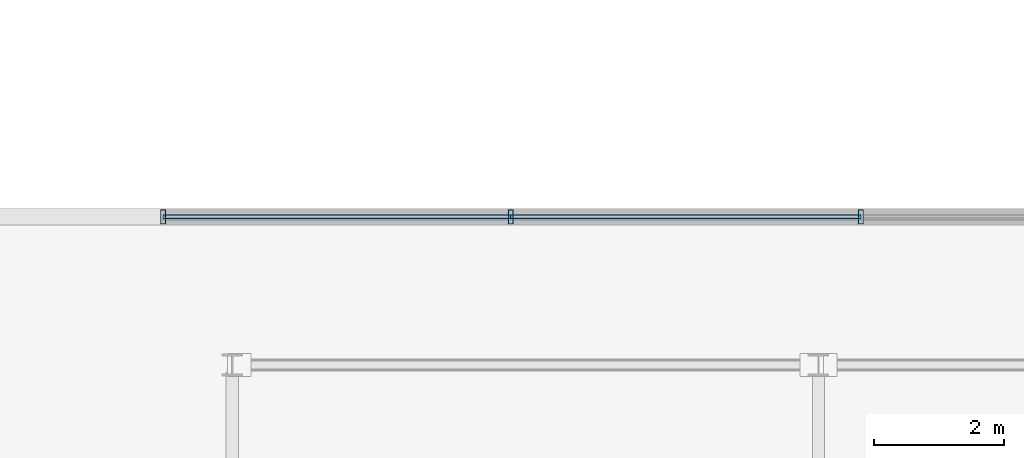
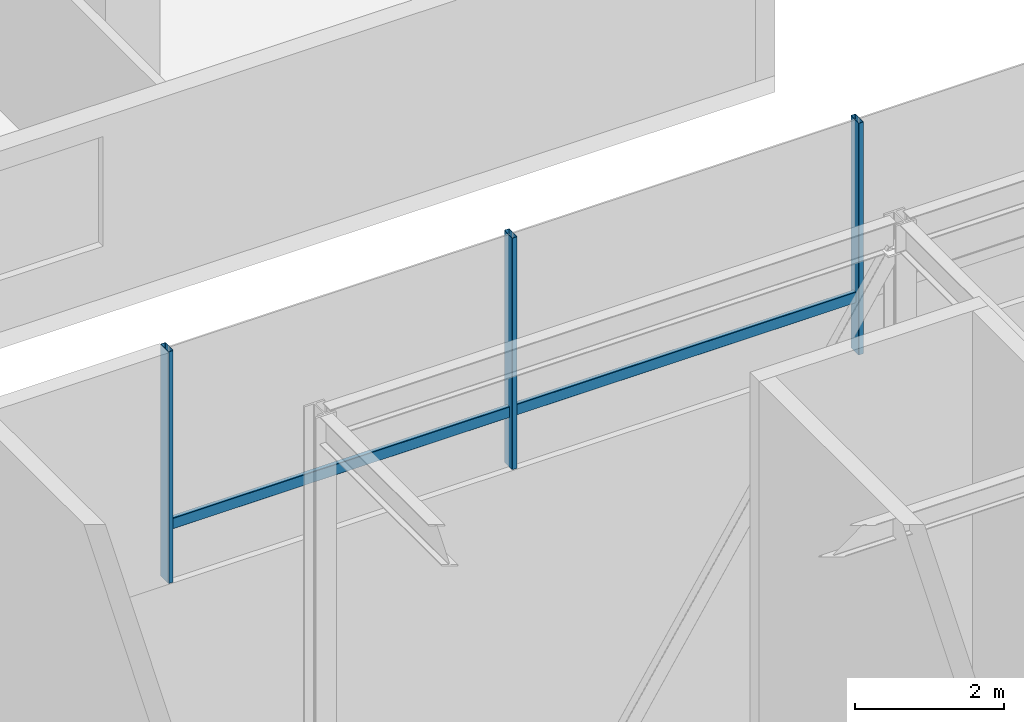
# One storey, part 19 of 42: 5 members, 1 element without a shape of its own.
"""IFC4 building model written with IfcOpenShell, lengths in metres."""

from ifc_helpers import new_model, si_unit, direction, frame, origin, origin_2d, place, context, subcontext, project, spatial, hollow_rectangle, extrude, material, layer, layer_set, material_profile, profile_set, type_object, element, aggregate, save


model = new_model("IFC4")

# Units and contexts
model_context = context("Model", 3, precision=1e-05, world=origin(), true_north=direction((0.0, 1.0)))
body_context = subcontext(model_context, "Body", "Model", "MODEL_VIEW")
ifc_project = project(units=[si_unit("LENGTHUNIT", "METRE"), si_unit("AREAUNIT", "SQUARE_METRE"), si_unit("VOLUMEUNIT", "CUBIC_METRE"), si_unit("PLANEANGLEUNIT", "RADIAN"), si_unit("MASSUNIT", "GRAM", prefix="KILO")], contexts=[model_context])

# Site, building, storey
site_placement = place(None, origin())
site = spatial("IfcSite", under=ifc_project, at=site_placement, CompositionType="ELEMENT")
building_placement = place(site_placement, origin())
building = spatial("IfcBuilding", under=site, at=building_placement, Name="Korimba Cascade Residences", CompositionType="ELEMENT")
storey_placement = place(building_placement, frame((0.0, 0.0, 207.60009765625)))
storey = spatial("IfcBuildingStorey", under=building, at=storey_placement, Name="L60", CompositionType="ELEMENT", Elevation=207.60009765625)

# Curtain wall, members
ifc_material_1 = material(Name="Anodised Aluminium Curtain Wall Framing", Category="aluminium")
ifc_layer = layer(ifc_material_1, 0.179931640625)
ifc_layer_set = layer_set([ifc_layer], Name="Anodised Aluminium Curtain Wall Framing")
curtain_wall_type = type_object("IfcCurtainWallType", Name="CW-CRNE-SYS6", PredefinedType="NOTDEFINED", material=ifc_layer_set)
curtain_wall_placement = place(storey_placement, origin())
curtain_wall = element("IfcCurtainWall", 1, at=curtain_wall_placement, inside=storey, type_object=curtain_wall_type, Name="L60 Curtain Wall CW-L60-CRN-E-2", PredefinedType="NOTDEFINED")
ifc_material_2 = material(Name="Anodised Aluminium Mullion", Category="aluminium")
ifc_material_profile_1 = material_profile(ifc_material_2, hollow_rectangle(XDim=0.080078125, YDim=0.219970703125, WallThickness=0.00634765625, InnerFilletRadius=0.00634765625, OuterFilletRadius=0.0126953125, at=origin_2d()), Name="Anodised Aluminium Mullion")
ifc_profile_set_1 = profile_set([ifc_material_profile_1], Name="Anodised Aluminium Mullion")
member_type_1 = type_object("IfcMemberType", Name="CWM-MUL-220", PredefinedType="MULLION", material=ifc_profile_set_1)
member_1_placement = place(storey_placement, frame((108.0400390625, 32.675048828125, 10.349853515625), z_axis=(0.0, 0.0, 1.0), x_axis=(1.0, 0.0, 0.0)))
member_1 = element("IfcMember", 2, at=member_1_placement, type_object=member_type_1, Name="CW-L60-CRN-E-2 Mullion 1", PredefinedType="MULLION", context=body_context, shape_type="SweptSolid", body=[
    extrude(hollow_rectangle(XDim=0.080078125, YDim=0.219970703125, WallThickness=0.00634765625, InnerFilletRadius=0.00634765625, OuterFilletRadius=0.0126953125, at=origin_2d()), origin(), (0.0, 0.0, 1.0), 3.800048828125),
])
member_2_placement = place(storey_placement, frame((113.375, 32.675048828125, 10.349853515625), z_axis=(0.0, 0.0, 1.0), x_axis=(1.0, 0.0, 0.0)))
member_2 = element("IfcMember", 3, at=member_2_placement, type_object=member_type_1, Name="CW-L60-CRN-E-2 Mullion 2", PredefinedType="MULLION", context=body_context, shape_type="SweptSolid", body=[
    extrude(hollow_rectangle(XDim=0.080078125, YDim=0.219970703125, WallThickness=0.00634765625, InnerFilletRadius=0.00634765625, OuterFilletRadius=0.0126953125, at=origin_2d()), origin(), (0.0, 0.0, 1.0), 3.800048828125),
])
member_3_placement = place(storey_placement, frame((118.75, 32.675048828125, 10.349853515625), z_axis=(0.0, 0.0, 1.0), x_axis=(1.0, 0.0, 0.0)))
member_3 = element("IfcMember", 4, at=member_3_placement, type_object=member_type_1, Name="CW-L60-CRN-E-2 Mullion 3", PredefinedType="MULLION", context=body_context, shape_type="SweptSolid", body=[
    extrude(hollow_rectangle(XDim=0.080078125, YDim=0.219970703125, WallThickness=0.00634765625, InnerFilletRadius=0.00634765625, OuterFilletRadius=0.0126953125, at=origin_2d()), origin(), (0.0, 0.0, 1.0), 3.800048828125),
])
ifc_material_3 = material(Name="Anodised Aluminium Transom", Category="aluminium")
ifc_material_profile_2 = material_profile(ifc_material_3, hollow_rectangle(XDim=0.070068359375, YDim=0.179931640625, WallThickness=0.0048828125, InnerFilletRadius=0.0048828125, OuterFilletRadius=0.010009765625, at=origin_2d()), Name="Anodised Aluminium Transom")
ifc_profile_set_2 = profile_set([ifc_material_profile_2], Name="Anodised Aluminium Transom")
member_type_2 = type_object("IfcMemberType", Name="CWM-TRN-150", PredefinedType="USERDEFINED", material=ifc_profile_set_2)
member_4_placement = place(storey_placement, frame((108.0400390625, 32.675048828125, 11.25), z_axis=(1.0, 0.0, 0.0), x_axis=(0.0, 1.0, 0.0)))
member_4 = element("IfcMember", 5, at=member_4_placement, type_object=member_type_2, Name="CW-L60-CRN-E-2 Transom 1", ObjectType="TRANSOM", PredefinedType="USERDEFINED", context=body_context, shape_type="SweptSolid", body=[
    extrude(hollow_rectangle(XDim=0.070068359375, YDim=0.179931640625, WallThickness=0.0048828125, InnerFilletRadius=0.0048828125, OuterFilletRadius=0.010009765625, at=origin_2d()), origin(), (0.0, 0.0, 1.0), 5.3349609375),
])
member_5_placement = place(storey_placement, frame((113.375, 32.675048828125, 11.25), z_axis=(1.0, 0.0, 0.0), x_axis=(0.0, 1.0, 0.0)))
member_5 = element("IfcMember", 6, at=member_5_placement, type_object=member_type_2, Name="CW-L60-CRN-E-2 Transom 2", ObjectType="TRANSOM", PredefinedType="USERDEFINED", context=body_context, shape_type="SweptSolid", body=[
    extrude(hollow_rectangle(XDim=0.070068359375, YDim=0.179931640625, WallThickness=0.0048828125, InnerFilletRadius=0.0048828125, OuterFilletRadius=0.010009765625, at=origin_2d()), origin(), (0.0, 0.0, 1.0), 5.375),
])
aggregate(curtain_wall, [member_1, member_2, member_3, member_4, member_5])

save(model, "model.ifc")
